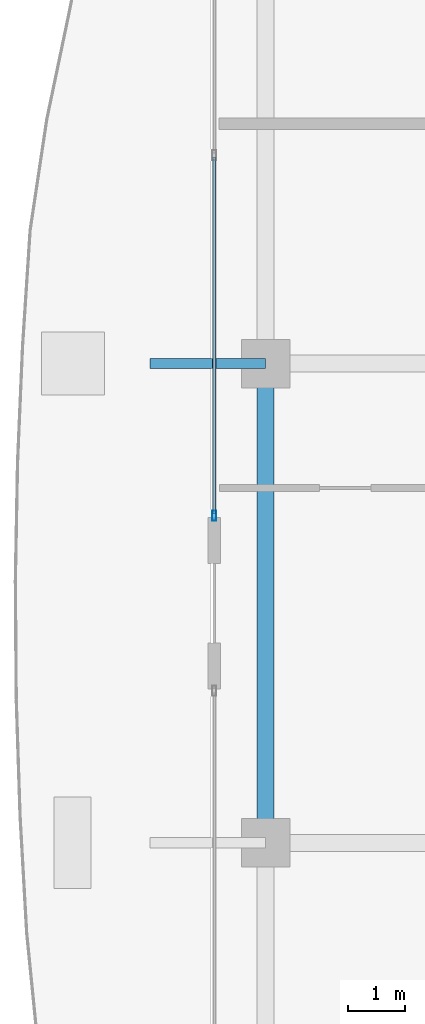
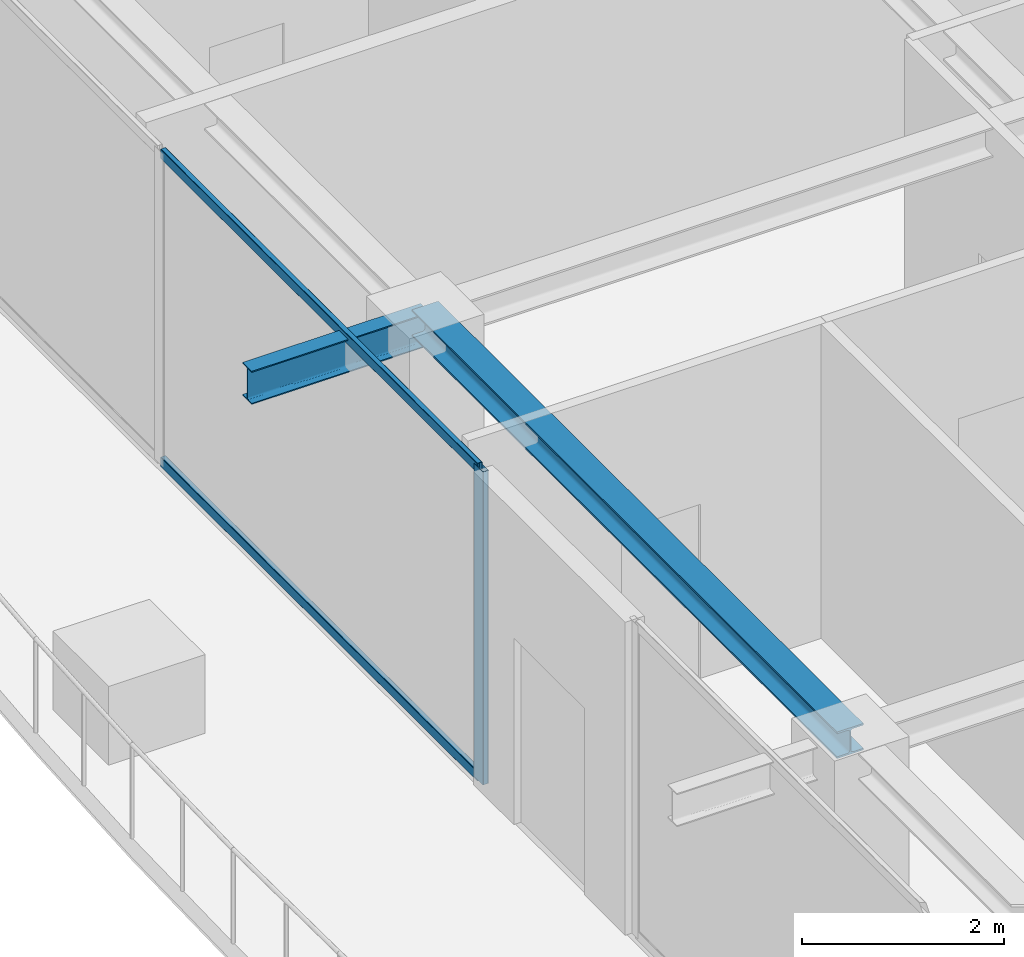
# One storey, part 8 of 36: 3 members, 2 beams, 1 element without a shape of its own.
"""IFC4 building model written with IfcOpenShell, lengths in metres."""

from ifc_helpers import new_model, si_unit, direction, frame, origin, origin_2d, place, context, subcontext, project, spatial, hollow_rectangle, i_section, extrude, source, transform, mapped, material, layer, layer_set, material_profile, profile_set, type_object, element, aggregate, save


model = new_model("IFC4")

# Units and contexts
model_context = context("Model", 3, precision=1e-05, world=origin(), true_north=direction((0.0, 1.0)))
body_context = subcontext(model_context, "Body", "Model", "MODEL_VIEW")
ifc_project = project(units=[si_unit("LENGTHUNIT", "METRE"), si_unit("AREAUNIT", "SQUARE_METRE"), si_unit("VOLUMEUNIT", "CUBIC_METRE"), si_unit("PLANEANGLEUNIT", "RADIAN"), si_unit("MASSUNIT", "GRAM", prefix="KILO")], contexts=[model_context])

# Site, building, storey
site_placement = place(None, origin())
site = spatial("IfcSite", under=ifc_project, at=site_placement, CompositionType="ELEMENT")
building_placement = place(site_placement, origin())
building = spatial("IfcBuilding", under=site, at=building_placement, Name="Serunith Strait Residences", CompositionType="ELEMENT")
storey_placement = place(building_placement, frame((0.0, 0.0, 338.0)))
storey = spatial("IfcBuildingStorey", under=building, at=storey_placement, Name="L84", CompositionType="ELEMENT", Elevation=338.0)

# Beams
ifc_material_1 = material(Name="Steel S355J2", Category="steel")
ifc_material_profile_1 = material_profile(ifc_material_1, i_section(OverallWidth=0.300048828125, OverallDepth=0.320068359375, WebThickness=0.011474609375, FlangeThickness=0.0205078125, FilletRadius=0.027099609375, at=origin_2d()), Name="HEB 320")
ifc_profile_set_1 = profile_set([ifc_material_profile_1], Name="Steel S355J2")
beam_type_1 = type_object("IfcBeamType", Name="BM-HEB320", PredefinedType="BEAM", material=ifc_profile_set_1)
shared_shape_1 = source(origin(), body_context, "Body", "SweptSolid", [
    extrude(i_section(OverallWidth=0.300048828125, OverallDepth=0.320068359375, WebThickness=0.011474609375, FlangeThickness=0.0205078125, FilletRadius=0.027099609375, at=origin_2d()), origin(), (0.0, 0.0, 1.0), 8.39990234375),
])
beam_1_placement = place(storey_placement, frame((11.699951171875, 29.39990234375, 3.626953125), z_axis=(0.0, -1.0, 0.0), x_axis=(1.0, 0.0, 0.0)))
element("IfcBeam", 1, at=beam_1_placement, inside=storey, type_object=beam_type_1, Name="L84 Perimeter Ring Beam 14", PredefinedType="BEAM", context=body_context, shape_type="MappedRepresentation", body=[
    mapped(shared_shape_1, transform((0.0, 0.0, 0.0), scale=1.0)),
])
ifc_material_profile_2 = material_profile(ifc_material_1, i_section(OverallWidth=0.179931640625, OverallDepth=0.39990234375, WebThickness=0.008544921875, FlangeThickness=0.013427734375, FilletRadius=0.02099609375, at=origin_2d()), Name="IPE 400")
ifc_profile_set_2 = profile_set([ifc_material_profile_2], Name="Steel S355J2")
beam_type_2 = type_object("IfcBeamType", Name="BM-IPE400", PredefinedType="JOIST", material=ifc_profile_set_2)
shared_shape_2 = source(origin(), body_context, "Body", "SweptSolid", [
    extrude(i_section(OverallWidth=0.179931640625, OverallDepth=0.39990234375, WebThickness=0.008544921875, FlangeThickness=0.013427734375, FilletRadius=0.02099609375, at=origin_2d()), origin(), (0.0, 0.0, 1.0), 2.030029296875),
])
beam_2_placement = place(storey_placement, frame((11.699951171875, 29.39990234375, 3.556884765625), z_axis=(-1.0, 0.0, 0.0), x_axis=(0.0, -1.0, 0.0)))
element("IfcBeam", 2, at=beam_2_placement, inside=storey, type_object=beam_type_2, Name="L85 Cantilevered Balcony Rib TC-W3", PredefinedType="JOIST", context=body_context, shape_type="MappedRepresentation", body=[
    mapped(shared_shape_2, transform((0.0, 0.0, 0.0), scale=1.0)),
])

# Curtain wall, members
ifc_material_2 = material(Name="Brushed Stainless-Silver Aluminium", Category="aluminium")
ifc_layer = layer(ifc_material_2, 0.199951171875, Name="Brushed Stainless-Silver Aluminium")
ifc_layer_set = layer_set([ifc_layer], Name="Brushed Stainless-Silver Aluminium")
curtain_wall_type = type_object("IfcCurtainWallType", Name="CW-SYS5", PredefinedType="NOTDEFINED", material=ifc_layer_set)
curtain_wall_placement = place(storey_placement, origin())
curtain_wall = element("IfcCurtainWall", 3, at=curtain_wall_placement, inside=storey, type_object=curtain_wall_type, Name="L84 W Unitised Fritted Curtain Wall", PredefinedType="NOTDEFINED")
ifc_material_profile_3 = material_profile(ifc_material_2, hollow_rectangle(XDim=0.06494140625, YDim=0.179931640625, WallThickness=0.00341796875, InnerFilletRadius=0.00537109375, OuterFilletRadius=0.0087890625, at=origin_2d()), Name="ALU 180x65x3.5")
ifc_profile_set_3 = profile_set([ifc_material_profile_3], Name="Brushed Stainless-Silver Aluminium")
member_type_1 = type_object("IfcMemberType", Name="CW-SYS5-MULL", PredefinedType="MULLION", material=ifc_profile_set_3)
shared_shape_3 = source(origin(), body_context, "Body", "SweptSolid", [
    extrude(hollow_rectangle(XDim=0.06494140625, YDim=0.179931640625, WallThickness=0.00341796875, InnerFilletRadius=0.00537109375, OuterFilletRadius=0.0087890625, at=origin_2d()), origin(), (0.0, 0.0, 1.0), 3.77490234375),
])
member_1_placement = place(storey_placement, frame((10.800048828125, 26.732421875, 0.0), z_axis=(0.0, 0.0, 1.0), x_axis=(1.0, 0.0, 0.0)))
member_1 = element("IfcMember", 4, at=member_1_placement, type_object=member_type_1, Name="CW-5 mullion 3", PredefinedType="MULLION", context=body_context, shape_type="MappedRepresentation", body=[
    mapped(shared_shape_3, transform((0.0, 0.0, 0.0), scale=1.0)),
])
ifc_material_profile_4 = material_profile(ifc_material_2, hollow_rectangle(XDim=0.06005859375, YDim=0.1201171875, WallThickness=0.00341796875, InnerFilletRadius=0.00537109375, OuterFilletRadius=0.0087890625, at=origin_2d()), Name="ALU 120x60x3.5")
ifc_profile_set_4 = profile_set([ifc_material_profile_4], Name="Brushed Stainless-Silver Aluminium")
member_type_2 = type_object("IfcMemberType", Name="CW-SYS5-TRAN", PredefinedType="USERDEFINED", material=ifc_profile_set_4)
shared_shape_4 = source(origin(), body_context, "Body", "SweptSolid", [
    extrude(hollow_rectangle(XDim=0.06005859375, YDim=0.1201171875, WallThickness=0.00341796875, InnerFilletRadius=0.00537109375, OuterFilletRadius=0.0087890625, at=origin_2d()), origin(), (0.0, 0.0, 1.0), 6.252685546875),
])
member_2_placement = place(storey_placement, frame((10.800048828125, 33.017578125, 0.030029296875), z_axis=(0.0, -1.0, 0.0), x_axis=(1.0, 0.0, 0.0)))
member_2 = element("IfcMember", 5, at=member_2_placement, type_object=member_type_2, Name="CW-5 transom 2.1", ObjectType="TRANSOM", PredefinedType="USERDEFINED", context=body_context, shape_type="MappedRepresentation", body=[
    mapped(shared_shape_4, transform((0.0, 0.0, 0.0), scale=1.0)),
])
member_3_placement = place(storey_placement, frame((10.800048828125, 33.017578125, 3.7451171875), z_axis=(0.0, -1.0, 0.0), x_axis=(1.0, 0.0, 0.0)))
member_3 = element("IfcMember", 6, at=member_3_placement, type_object=member_type_2, Name="CW-5 transom 2.2", ObjectType="TRANSOM", PredefinedType="USERDEFINED", context=body_context, shape_type="MappedRepresentation", body=[
    mapped(shared_shape_4, transform((0.0, 0.0, 0.0), scale=1.0)),
])
aggregate(curtain_wall, [member_1, member_2, member_3])

save(model, "model.ifc")
